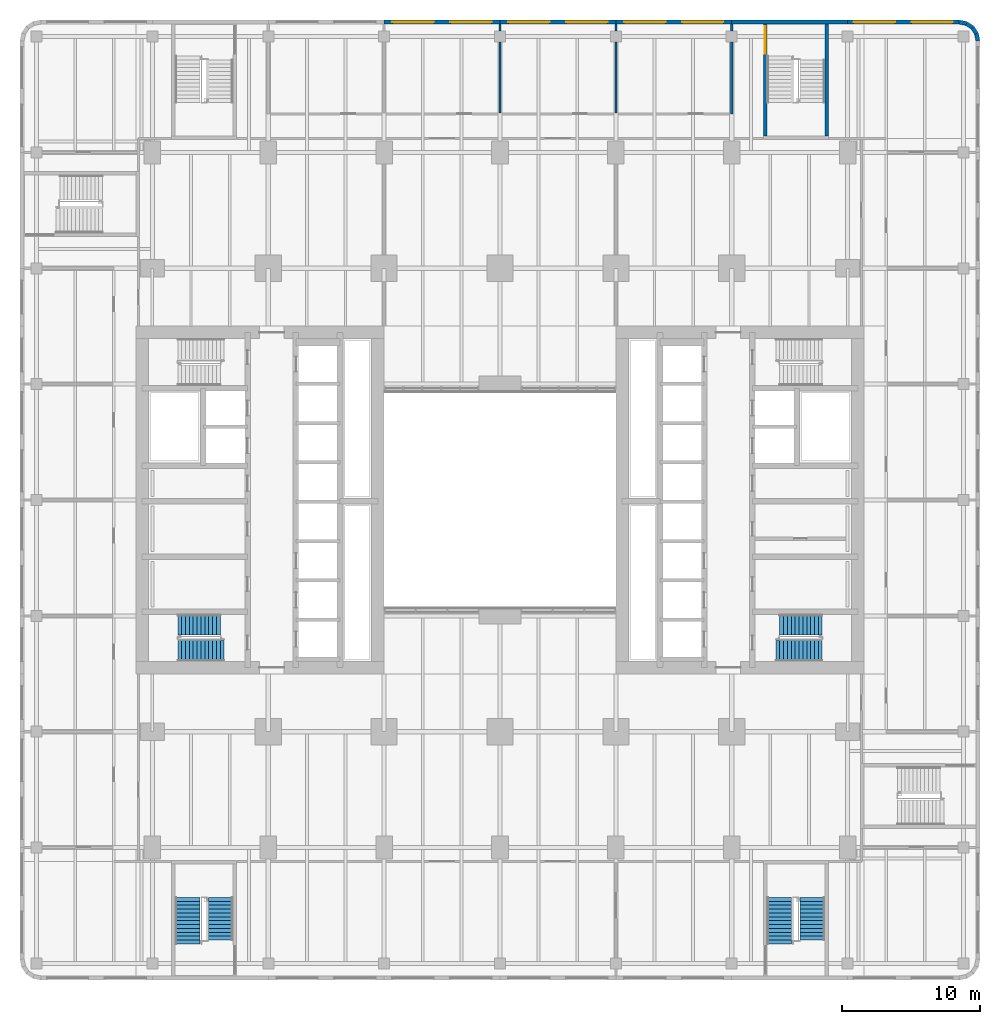
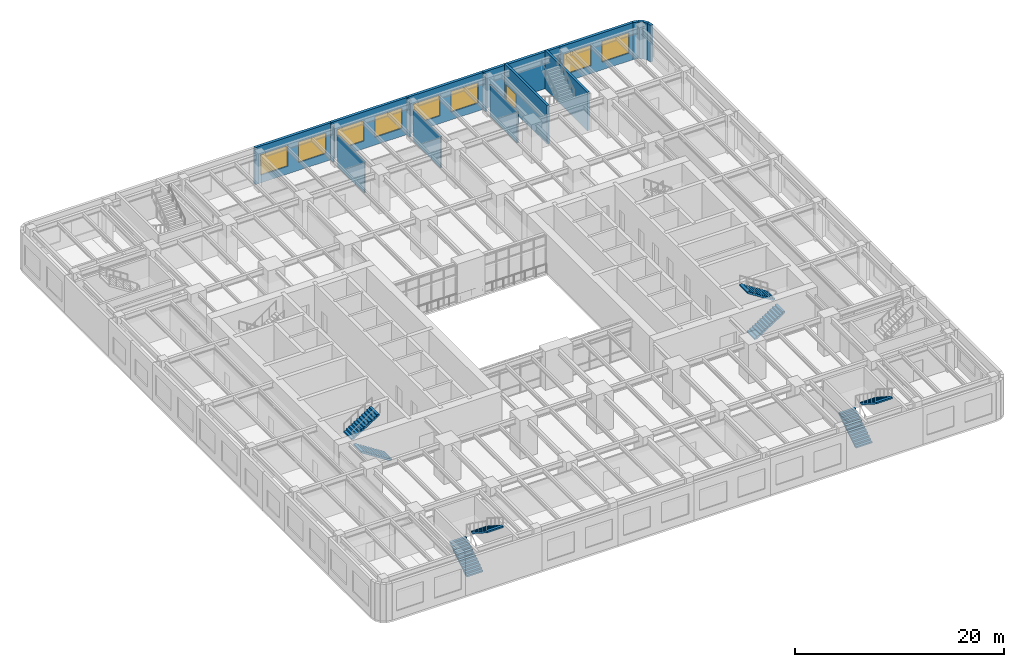
# One storey, part 15 of 26: 17 walls, 8 stair flights, 8 windows, 1 door, 9 openings, 4 elements without a shape of their own.
"""IFC4 building model written with IfcOpenShell, lengths in metres."""

from ifc_helpers import new_model, si_unit, direction, frame, frame_2d, origin, place, context, subcontext, project, spatial, polyline, rectangle, outline, extrude, material, layer, layer_set, type_object, element, fill, aggregate, save


model = new_model("IFC4")

# Units and contexts
model_context = context("Model", 3, precision=1e-05, world=origin(), true_north=direction((0.0, 1.0)))
body_context = subcontext(model_context, "Body", "Model", "MODEL_VIEW")
ifc_project = project(units=[si_unit("LENGTHUNIT", "METRE"), si_unit("AREAUNIT", "SQUARE_METRE"), si_unit("VOLUMEUNIT", "CUBIC_METRE"), si_unit("PLANEANGLEUNIT", "RADIAN"), si_unit("MASSUNIT", "GRAM", prefix="KILO")], contexts=[model_context])

# Site, building, storey
site_placement = place(None, origin())
site = spatial("IfcSite", under=ifc_project, at=site_placement, CompositionType="ELEMENT")
building_placement = place(site_placement, origin())
building = spatial("IfcBuilding", under=site, at=building_placement, Name="Claustro Exchange Tower", CompositionType="ELEMENT")
storey_placement = place(building_placement, frame((0.0, 0.0, 9.89990234375)))
storey = spatial("IfcBuildingStorey", under=building, at=storey_placement, Name="L02", CompositionType="ELEMENT", Elevation=9.89990234375)

# Walls
ifc_material_1 = material(Name="Gypsum board on steel studs", Category="steel")
ifc_layer_1 = layer(ifc_material_1, 0.14990234375)
ifc_layer_set_1 = layer_set([ifc_layer_1], Name="Gypsum board on steel studs")
wall_type_1 = type_object("IfcWallType", Name="P1 150 plasterboard partition", PredefinedType="PARTITIONING", material=ifc_layer_set_1)
wall_1_placement = place(storey_placement, frame((25.199951171875, 53.27392578125, 0.0), z_axis=(0.0, 0.0, 1.0), x_axis=(0.0, 1.0, 0.0)))
element("IfcWall", 1, at=wall_1_placement, inside=storey, type_object=wall_type_1, Name="Partition P1 L02", PredefinedType="PARTITIONING", context=body_context, shape_type="SweptSolid", body=[
    extrude(rectangle(XDim=5.126953125, YDim=0.14990234375, at=frame_2d((2.5634765625, 0.0))), origin(), (0.0, 0.0, 1.0), 3.650146484375),
])
wall_2_placement = place(storey_placement, frame((25.199951171875, 59.198974609375, 0.0), z_axis=(0.0, 0.0, 1.0), x_axis=(0.0, 1.0, 0.0)))
element("IfcWall", 2, at=wall_2_placement, inside=storey, type_object=wall_type_1, Name="Partition P1 L02", PredefinedType="PARTITIONING", context=body_context, shape_type="SweptSolid", body=[
    extrude(rectangle(XDim=0.5029296875, YDim=0.14990234375, at=frame_2d((0.25146484375, 0.0))), origin(), (0.0, 0.0, 1.0), 4.300048828125),
])
wall_3_placement = place(storey_placement, frame((33.60009765625, 53.27392578125, 0.0), z_axis=(0.0, 0.0, 1.0), x_axis=(0.0, 1.0, 0.0)))
element("IfcWall", 3, at=wall_3_placement, inside=storey, type_object=wall_type_1, Name="Partition P1 L02", PredefinedType="PARTITIONING", context=body_context, shape_type="SweptSolid", body=[
    extrude(rectangle(XDim=5.126953125, YDim=0.14990234375, at=frame_2d((2.5634765625, 0.0))), origin(), (0.0, 0.0, 1.0), 3.650146484375),
])
wall_4_placement = place(storey_placement, frame((33.60009765625, 59.198974609375, 0.0), z_axis=(0.0, 0.0, 1.0), x_axis=(0.0, 1.0, 0.0)))
element("IfcWall", 4, at=wall_4_placement, inside=storey, type_object=wall_type_1, Name="Partition P1 L02", PredefinedType="PARTITIONING", context=body_context, shape_type="SweptSolid", body=[
    extrude(rectangle(XDim=0.5029296875, YDim=0.14990234375, at=frame_2d((0.25146484375, 0.0))), origin(), (0.0, 0.0, 1.0), 4.300048828125),
])
wall_5_placement = place(storey_placement, frame((42.0, 53.199951171875, 0.0), z_axis=(0.0, 0.0, 1.0), x_axis=(0.0, 1.0, 0.0)))
element("IfcWall", 5, at=wall_5_placement, inside=storey, type_object=wall_type_1, Name="Partition P1 L02", PredefinedType="PARTITIONING", context=body_context, shape_type="SweptSolid", body=[
    extrude(rectangle(XDim=5.200927734375, YDim=0.14990234375, at=frame_2d((2.6005859375, 0.0))), origin(), (0.0, 0.0, 1.0), 3.650146484375),
])
wall_6_placement = place(storey_placement, frame((42.0, 59.198974609375, 0.0), z_axis=(0.0, 0.0, 1.0), x_axis=(0.0, 1.0, 0.0)))
element("IfcWall", 6, at=wall_6_placement, inside=storey, type_object=wall_type_1, Name="Partition P1 L02", PredefinedType="PARTITIONING", context=body_context, shape_type="SweptSolid", body=[
    extrude(rectangle(XDim=0.5029296875, YDim=0.14990234375, at=frame_2d((0.25146484375, 0.0))), origin(), (0.0, 0.0, 1.0), 4.300048828125),
])

# Wall, openings, windows
ifc_material_2 = material(Name="Concrete HA-40 (C40/50), precast, white cement, acid-etched", Category="concrete")
ifc_layer_2 = layer(ifc_material_2, 0.300048828125)
ifc_layer_set_2 = layer_set([ifc_layer_2], Name="Concrete HA-40 (C40/50), precast, white cement, acid-etched")
wall_type_2 = type_object("IfcWallType", Name="PC1 300 precast concrete pier panel", PredefinedType="SOLIDWALL", material=ifc_layer_set_2)
wall_7_placement = place(storey_placement, frame((16.800048828125, 59.85009765625, 0.0), z_axis=(0.0, 0.0, 1.0), x_axis=(1.0, 0.0, 0.0)))
wall_7 = element("IfcWall", 7, at=wall_7_placement, inside=storey, type_object=wall_type_2, Name="Precast pier panel PC1 L02", PredefinedType="SOLIDWALL", context=body_context, shape_type="SweptSolid", body=[
    extrude(rectangle(XDim=8.39990234375, YDim=0.300048828125, at=frame_2d((4.199951171875, 0.0))), origin(), (0.0, 0.0, 1.0), 4.300048828125),
])
opening_1_placement = place(wall_7_placement, frame((0.60009765625, 0.0, 0.89990234375)))
opening_1 = element("IfcOpeningElement", 8, at=opening_1_placement, cuts=wall_7, Name="Opening W3", PredefinedType="OPENING", context=body_context, shape_type="SweptSolid", body=[
    extrude(rectangle(XDim=3.0, YDim=2.39990234375, at=frame_2d((1.5, 1.199951171875))), frame((0.0, 0.159912109375, 0.0), z_axis=(0.0, -1.0, 0.0), x_axis=(1.0, 0.0, 0.0)), (0.0, 0.0, 1.0), 0.320068359375),
])
opening_2_placement = place(wall_7_placement, frame((4.800048828125, 0.0, 0.89990234375)))
opening_2 = element("IfcOpeningElement", 9, at=opening_2_placement, cuts=wall_7, Name="Opening W3", PredefinedType="OPENING", context=body_context, shape_type="SweptSolid", body=[
    extrude(rectangle(XDim=3.0, YDim=2.39990234375, at=frame_2d((1.5, 1.199951171875))), frame((0.0, 0.159912109375, 0.0), z_axis=(0.0, -1.0, 0.0), x_axis=(1.0, 0.0, 0.0)), (0.0, 0.0, 1.0), 0.320068359375),
])
ifc_material_3 = material(Name="Aluminium frame, clear double glazing", Category="aluminium")
window_type = type_object("IfcWindowType", Name="W3 3000 x 2400 window", PartitioningType="SINGLE_PANEL", PredefinedType="WINDOW", material=ifc_material_3)
window_1_placement = place(opening_1_placement, origin())
window_1 = element("IfcWindow", 10, at=window_1_placement, inside=storey, type_object=window_type, Name="Window W3 L02", OverallHeight=2.39990234375, OverallWidth=3.0, PartitioningType="SINGLE_PANEL", PredefinedType="WINDOW", context=body_context, shape_type="SweptSolid", body=[
    extrude(rectangle(XDim=3.0, YDim=2.39990234375, at=frame_2d((1.5, 1.199951171875))), frame((0.0, 0.030029296875, 0.0), z_axis=(0.0, -1.0, 0.0), x_axis=(1.0, 0.0, 0.0)), (0.0, 0.0, 1.0), 0.06005859375),
])
fill(opening_1, window_1)
window_2_placement = place(opening_2_placement, origin())
window_2 = element("IfcWindow", 11, at=window_2_placement, inside=storey, type_object=window_type, Name="Window W3 L02", OverallHeight=2.39990234375, OverallWidth=3.0, PartitioningType="SINGLE_PANEL", PredefinedType="WINDOW", context=body_context, shape_type="SweptSolid", body=[
    extrude(rectangle(XDim=3.0, YDim=2.39990234375, at=frame_2d((1.5, 1.199951171875))), frame((0.0, 0.030029296875, 0.0), z_axis=(0.0, -1.0, 0.0), x_axis=(1.0, 0.0, 0.0)), (0.0, 0.0, 1.0), 0.06005859375),
])
fill(opening_2, window_2)

wall_8_placement = place(storey_placement, frame((25.199951171875, 59.85009765625, 0.0), z_axis=(0.0, 0.0, 1.0), x_axis=(1.0, 0.0, 0.0)))
wall_8 = element("IfcWall", 12, at=wall_8_placement, inside=storey, type_object=wall_type_2, Name="Precast pier panel PC1 L02", PredefinedType="SOLIDWALL", context=body_context, shape_type="SweptSolid", body=[
    extrude(rectangle(XDim=8.400146484375, YDim=0.300048828125, at=frame_2d((4.2001953125, 0.0))), origin(), (0.0, 0.0, 1.0), 4.300048828125),
])
opening_3_placement = place(wall_8_placement, frame((0.60009765625, 0.0, 0.89990234375)))
opening_3 = element("IfcOpeningElement", 13, at=opening_3_placement, cuts=wall_8, Name="Opening W3", PredefinedType="OPENING", context=body_context, shape_type="SweptSolid", body=[
    extrude(rectangle(XDim=3.0, YDim=2.39990234375, at=frame_2d((1.5, 1.199951171875))), frame((0.0, 0.159912109375, 0.0), z_axis=(0.0, -1.0, 0.0), x_axis=(1.0, 0.0, 0.0)), (0.0, 0.0, 1.0), 0.320068359375),
])
opening_4_placement = place(wall_8_placement, frame((4.800048828125, 0.0, 0.89990234375)))
opening_4 = element("IfcOpeningElement", 14, at=opening_4_placement, cuts=wall_8, Name="Opening W3", PredefinedType="OPENING", context=body_context, shape_type="SweptSolid", body=[
    extrude(rectangle(XDim=3.0, YDim=2.39990234375, at=frame_2d((1.5, 1.199951171875))), frame((0.0, 0.159912109375, 0.0), z_axis=(0.0, -1.0, 0.0), x_axis=(1.0, 0.0, 0.0)), (0.0, 0.0, 1.0), 0.320068359375),
])
window_3_placement = place(opening_3_placement, origin())
window_3 = element("IfcWindow", 15, at=window_3_placement, inside=storey, type_object=window_type, Name="Window W3 L02", OverallHeight=2.39990234375, OverallWidth=3.0, PartitioningType="SINGLE_PANEL", PredefinedType="WINDOW", context=body_context, shape_type="SweptSolid", body=[
    extrude(rectangle(XDim=3.0, YDim=2.39990234375, at=frame_2d((1.5, 1.199951171875))), frame((0.0, 0.030029296875, 0.0), z_axis=(0.0, -1.0, 0.0), x_axis=(1.0, 0.0, 0.0)), (0.0, 0.0, 1.0), 0.06005859375),
])
fill(opening_3, window_3)
window_4_placement = place(opening_4_placement, origin())
window_4 = element("IfcWindow", 16, at=window_4_placement, inside=storey, type_object=window_type, Name="Window W3 L02", OverallHeight=2.39990234375, OverallWidth=3.0, PartitioningType="SINGLE_PANEL", PredefinedType="WINDOW", context=body_context, shape_type="SweptSolid", body=[
    extrude(rectangle(XDim=3.0, YDim=2.39990234375, at=frame_2d((1.5, 1.199951171875))), frame((0.0, 0.030029296875, 0.0), z_axis=(0.0, -1.0, 0.0), x_axis=(1.0, 0.0, 0.0)), (0.0, 0.0, 1.0), 0.06005859375),
])
fill(opening_4, window_4)

wall_9_placement = place(storey_placement, frame((33.60009765625, 59.85009765625, 0.0), z_axis=(0.0, 0.0, 1.0), x_axis=(1.0, 0.0, 0.0)))
wall_9 = element("IfcWall", 17, at=wall_9_placement, inside=storey, type_object=wall_type_2, Name="Precast pier panel PC1 L02", PredefinedType="SOLIDWALL", context=body_context, shape_type="SweptSolid", body=[
    extrude(rectangle(XDim=8.39990234375, YDim=0.300048828125, at=frame_2d((4.199951171875, 0.0))), origin(), (0.0, 0.0, 1.0), 4.300048828125),
])
opening_5_placement = place(wall_9_placement, frame((0.60009765625, 0.0, 0.89990234375)))
opening_5 = element("IfcOpeningElement", 18, at=opening_5_placement, cuts=wall_9, Name="Opening W3", PredefinedType="OPENING", context=body_context, shape_type="SweptSolid", body=[
    extrude(rectangle(XDim=3.0, YDim=2.39990234375, at=frame_2d((1.5, 1.199951171875))), frame((0.0, 0.159912109375, 0.0), z_axis=(0.0, -1.0, 0.0), x_axis=(1.0, 0.0, 0.0)), (0.0, 0.0, 1.0), 0.320068359375),
])
opening_6_placement = place(wall_9_placement, frame((4.800048828125, 0.0, 0.89990234375)))
opening_6 = element("IfcOpeningElement", 19, at=opening_6_placement, cuts=wall_9, Name="Opening W3", PredefinedType="OPENING", context=body_context, shape_type="SweptSolid", body=[
    extrude(rectangle(XDim=3.0, YDim=2.39990234375, at=frame_2d((1.5, 1.199951171875))), frame((0.0, 0.159912109375, 0.0), z_axis=(0.0, -1.0, 0.0), x_axis=(1.0, 0.0, 0.0)), (0.0, 0.0, 1.0), 0.320068359375),
])
window_5_placement = place(opening_5_placement, origin())
window_5 = element("IfcWindow", 20, at=window_5_placement, inside=storey, type_object=window_type, Name="Window W3 L02", OverallHeight=2.39990234375, OverallWidth=3.0, PartitioningType="SINGLE_PANEL", PredefinedType="WINDOW", context=body_context, shape_type="SweptSolid", body=[
    extrude(rectangle(XDim=3.0, YDim=2.39990234375, at=frame_2d((1.5, 1.199951171875))), frame((0.0, 0.030029296875, 0.0), z_axis=(0.0, -1.0, 0.0), x_axis=(1.0, 0.0, 0.0)), (0.0, 0.0, 1.0), 0.06005859375),
])
fill(opening_5, window_5)
window_6_placement = place(opening_6_placement, origin())
window_6 = element("IfcWindow", 21, at=window_6_placement, inside=storey, type_object=window_type, Name="Window W3 L02", OverallHeight=2.39990234375, OverallWidth=3.0, PartitioningType="SINGLE_PANEL", PredefinedType="WINDOW", context=body_context, shape_type="SweptSolid", body=[
    extrude(rectangle(XDim=3.0, YDim=2.39990234375, at=frame_2d((1.5, 1.199951171875))), frame((0.0, 0.030029296875, 0.0), z_axis=(0.0, -1.0, 0.0), x_axis=(1.0, 0.0, 0.0)), (0.0, 0.0, 1.0), 0.06005859375),
])
fill(opening_6, window_6)

# Wall
wall_10_placement = place(storey_placement, frame((42.0, 59.85009765625, 0.0), z_axis=(0.0, 0.0, 1.0), x_axis=(1.0, 0.0, 0.0)))
element("IfcWall", 22, at=wall_10_placement, inside=storey, type_object=wall_type_2, Name="Precast pier panel PC1 L02", PredefinedType="SOLIDWALL", context=body_context, shape_type="SweptSolid", body=[
    extrude(rectangle(XDim=8.39990234375, YDim=0.300048828125, at=frame_2d((4.199951171875, 0.0))), origin(), (0.0, 0.0, 1.0), 4.300048828125),
])

# Wall, openings, windows
wall_11_placement = place(storey_placement, frame((50.39990234375, 59.85009765625, 0.0), z_axis=(0.0, 0.0, 1.0), x_axis=(1.0, 0.0, 0.0)))
wall_11 = element("IfcWall", 23, at=wall_11_placement, inside=storey, type_object=wall_type_2, Name="Precast pier panel PC1 L02", PredefinedType="SOLIDWALL", context=body_context, shape_type="SweptSolid", body=[
    extrude(rectangle(XDim=8.085205078125, YDim=0.300048828125, at=frame_2d((4.04248046875, 0.0))), origin(), (0.0, 0.0, 1.0), 4.300048828125),
])
opening_7_placement = place(wall_11_placement, frame((0.442626953125, 0.0, 0.89990234375)))
opening_7 = element("IfcOpeningElement", 24, at=opening_7_placement, cuts=wall_11, Name="Opening W3", PredefinedType="OPENING", context=body_context, shape_type="SweptSolid", body=[
    extrude(rectangle(XDim=3.0, YDim=2.39990234375, at=frame_2d((1.5, 1.199951171875))), frame((0.0, 0.159912109375, 0.0), z_axis=(0.0, -1.0, 0.0), x_axis=(1.0, 0.0, 0.0)), (0.0, 0.0, 1.0), 0.320068359375),
])
opening_8_placement = place(wall_11_placement, frame((4.642578125, 0.0, 0.89990234375)))
opening_8 = element("IfcOpeningElement", 25, at=opening_8_placement, cuts=wall_11, Name="Opening W3", PredefinedType="OPENING", context=body_context, shape_type="SweptSolid", body=[
    extrude(rectangle(XDim=3.0, YDim=2.39990234375, at=frame_2d((1.5, 1.199951171875))), frame((0.0, 0.159912109375, 0.0), z_axis=(0.0, -1.0, 0.0), x_axis=(1.0, 0.0, 0.0)), (0.0, 0.0, 1.0), 0.320068359375),
])
window_7_placement = place(opening_7_placement, origin())
window_7 = element("IfcWindow", 26, at=window_7_placement, inside=storey, type_object=window_type, Name="Window W3 L02", OverallHeight=2.39990234375, OverallWidth=3.0, PartitioningType="SINGLE_PANEL", PredefinedType="WINDOW", context=body_context, shape_type="SweptSolid", body=[
    extrude(rectangle(XDim=3.0, YDim=2.39990234375, at=frame_2d((1.5, 1.199951171875))), frame((0.0, 0.030029296875, 0.0), z_axis=(0.0, -1.0, 0.0), x_axis=(1.0, 0.0, 0.0)), (0.0, 0.0, 1.0), 0.06005859375),
])
fill(opening_7, window_7)
window_8_placement = place(opening_8_placement, origin())
window_8 = element("IfcWindow", 27, at=window_8_placement, inside=storey, type_object=window_type, Name="Window W3 L02", OverallHeight=2.39990234375, OverallWidth=3.0, PartitioningType="SINGLE_PANEL", PredefinedType="WINDOW", context=body_context, shape_type="SweptSolid", body=[
    extrude(rectangle(XDim=3.0, YDim=2.39990234375, at=frame_2d((1.5, 1.199951171875))), frame((0.0, 0.030029296875, 0.0), z_axis=(0.0, -1.0, 0.0), x_axis=(1.0, 0.0, 0.0)), (0.0, 0.0, 1.0), 0.06005859375),
])
fill(opening_8, window_8)

# Walls
wall_12_placement = place(storey_placement, frame((58.485107421875, 59.85009765625, 0.0), z_axis=(0.0, 0.0, 1.0), x_axis=(0.980702050465, -0.1955082817, 0.0)))
element("IfcWall", 28, at=wall_12_placement, inside=storey, type_object=wall_type_2, Name="Precast pier panel PC1 L02", PredefinedType="SOLIDWALL", context=body_context, shape_type="SweptSolid", body=[
    extrude(rectangle(XDim=0.540771484375, YDim=0.300048828125, at=frame_2d((0.2705078125, 0.0))), origin(), (0.0, 0.0, 1.0), 4.300048828125),
])
for number, where, z_axis, x_axis, name in (
    (29, (59.015380859375, 59.744384765625, 0.0), (0.0, 0.0, 1.0), (0.831835869144, -0.555021699401, 0.0), "Precast pier panel PC1 L02"),
    (30, (59.45263671875, 59.45263671875, 0.0), (0.0, 0.0, 1.0), (0.555021699401, -0.831835869144, 0.0), "Precast pier panel PC1 L02"),
):
    element("IfcWall", number, at=place(storey_placement, frame(where, z_axis=z_axis, x_axis=x_axis)), inside=storey, type_object=wall_type_2, Name=name, PredefinedType="SOLIDWALL", context=body_context, shape_type="SweptSolid", body=[
        extrude(rectangle(XDim=0.525634765625, YDim=0.300048828125, at=frame_2d((0.2626953125, 0.0))), origin(), (0.0, 0.0, 1.0), 4.300048828125),
    ])
wall_13_placement = place(storey_placement, frame((59.744384765625, 59.015380859375, 0.0), z_axis=(0.0, 0.0, 1.0), x_axis=(0.1955082817, -0.980702050465, 0.0)))
element("IfcWall", 31, at=wall_13_placement, inside=storey, type_object=wall_type_2, Name="Precast pier panel PC1 L02", PredefinedType="SOLIDWALL", context=body_context, shape_type="SweptSolid", body=[
    extrude(rectangle(XDim=0.540771484375, YDim=0.300048828125, at=frame_2d((0.2705078125, 0.0))), origin(), (0.0, 0.0, 1.0), 4.300048828125),
])

# Wall, opening, door
ifc_material_4 = material(Name="Concrete HA-40 (C40/50)", Category="concrete")
ifc_layer_3 = layer(ifc_material_4, 0.25)
ifc_layer_set_3 = layer_set([ifc_layer_3], Name="Concrete HA-40 (C40/50)")
wall_type_3 = type_object("IfcWallType", Name="SW7 250 reinforced concrete stair wall", PredefinedType="SOLIDWALL", material=ifc_layer_set_3)
wall_14_placement = place(storey_placement, frame((44.425048828125, 59.701904296875, 0.0), z_axis=(0.0, 0.0, 1.0), x_axis=(0.0, -1.0, 0.0)))
wall_14 = element("IfcWall", 32, at=wall_14_placement, inside=storey, type_object=wall_type_3, Name="Stair enclosure wall STP4 SW7 L02", PredefinedType="SOLIDWALL", context=body_context, shape_type="SweptSolid", body=[
    extrude(rectangle(XDim=8.101806640625, YDim=0.25, at=frame_2d((4.05078125, 0.0))), origin(), (0.0, 0.0, 1.0), 4.5),
])
opening_9_placement = place(wall_14_placement, frame((0.14990234375, 0.0, 0.0)))
opening_9 = element("IfcOpeningElement", 33, at=opening_9_placement, cuts=wall_14, Name="Opening D11", PredefinedType="OPENING", context=body_context, shape_type="SweptSolid", body=[
    extrude(rectangle(XDim=2.0, YDim=2.199951171875, at=frame_2d((1.0, 1.10009765625))), frame((0.0, 0.135009765625, 0.0), z_axis=(0.0, -1.0, 0.0), x_axis=(1.0, 0.0, 0.0)), (0.0, 0.0, 1.0), 0.27001953125),
])
ifc_material_5 = material(Name="Steel fire door, painted", Category="steel")
door_type = type_object("IfcDoorType", Name="D11 2000 x 2200 fire-rated stair double door", OperationType="DOUBLE_DOOR_SINGLE_SWING", PredefinedType="DOOR", material=ifc_material_5)
door_placement = place(opening_9_placement, origin())
door = element("IfcDoor", 34, at=door_placement, inside=storey, type_object=door_type, Name="Stair door STP4 D11 L02", OperationType="DOUBLE_DOOR_SINGLE_SWING", OverallHeight=2.199951171875, OverallWidth=2.0, PredefinedType="DOOR", context=body_context, shape_type="SweptSolid", body=[
    extrude(rectangle(XDim=2.0, YDim=2.199951171875, at=frame_2d((1.0, 1.10009765625))), frame((0.0, 0.02490234375, 0.0), z_axis=(0.0, -1.0, 0.0), x_axis=(1.0, 0.0, 0.0)), (0.0, 0.0, 1.0), 0.050048828125),
])
fill(opening_9, door)

# Wall
wall_15_placement = place(storey_placement, frame((48.875, 59.701904296875, 0.0), z_axis=(0.0, 0.0, 1.0), x_axis=(0.0, -1.0, 0.0)))
element("IfcWall", 35, at=wall_15_placement, inside=storey, type_object=wall_type_3, Name="Stair enclosure wall STP4 SW7 L02", PredefinedType="SOLIDWALL", context=body_context, shape_type="SweptSolid", body=[
    extrude(rectangle(XDim=8.101806640625, YDim=0.25, at=frame_2d((4.05078125, 0.0))), origin(), (0.0, 0.0, 1.0), 4.5),
])

# Stair, stair flight
ifc_material_6 = material(Name="Concrete HA-30 (C30/37), precast", Category="concrete")
stair_type_1 = type_object("IfcStairType", Name="ST2 half-turn stair, 25 risers of 180", PredefinedType="HALF_TURN_STAIR", material=ifc_material_6)
stair_1_placement = place(storey_placement, origin())
stair_1 = element("IfcStair", 36, at=stair_1_placement, inside=storey, type_object=stair_type_1, Name="Stair STWA L02", PredefinedType="HALF_TURN_STAIR")
ifc_material_7 = material(Name="Concrete HA-30 (C30/37), precast", Category="concrete")
stair_flight_type_1 = type_object("IfcStairFlightType", Name="SF12B straight flight, 12 risers of 180, 1500 wide", PredefinedType="STRAIGHT", material=ifc_material_7)
stair_flight_1_placement = place(storey_placement, frame((1.840087890625, 16.14990234375, 2.340087890625), z_axis=(0.0, 0.0, 1.0), x_axis=(1.0, 0.0, 0.0)))
stair_flight_1 = element("IfcStairFlight", 37, at=stair_flight_1_placement, type_object=stair_flight_type_1, Name="STWA flight 2", NumberOfRisers=12, NumberOfTreads=11, PredefinedType="STRAIGHT", RiserHeight=0.18, TreadLength=0.28, context=body_context, shape_type="SweptSolid", body=[
    extrude(outline(polyline([(0.0, 0.0), (0.0, 0.179931640625), (0.280029296875, 0.179931640625), (0.280029296875, 0.360107421875), (0.56005859375, 0.360107421875), (0.56005859375, 0.5400390625), (0.840087890625, 0.5400390625), (0.840087890625, 0.719970703125), (1.1201171875, 0.719970703125), (1.1201171875, 0.89990234375), (1.39990234375, 0.89990234375), (1.39990234375, 1.080078125), (1.679931640625, 1.080078125), (1.679931640625, 1.260009765625), (1.9599609375, 1.260009765625), (1.9599609375, 1.43994140625), (2.239990234375, 1.43994140625), (2.239990234375, 1.6201171875), (2.52001953125, 1.6201171875), (2.52001953125, 1.800048828125), (2.800048828125, 1.800048828125), (2.800048828125, 1.97998046875), (3.080078125, 1.97998046875), (3.080078125, 2.159912109375), (3.080078125, 1.8017578125), (0.277099609375, 0.0), (0.0, 0.0)])), frame((0.0, 0.75, 0.0), z_axis=(0.0, -1.0, 0.0), x_axis=(1.0, 0.0, 0.0)), (0.0, 0.0, 1.0), 1.5),
])

stair_2_placement = place(storey_placement, origin())
stair_2 = element("IfcStair", 38, at=stair_2_placement, inside=storey, type_object=stair_type_1, Name="Stair STEA L02", PredefinedType="HALF_TURN_STAIR")
stair_flight_2_placement = place(storey_placement, frame((48.56005859375, 16.14990234375, 2.340087890625), z_axis=(0.0, 0.0, 1.0), x_axis=(-1.0, 0.0, 0.0)))
stair_flight_2 = element("IfcStairFlight", 39, at=stair_flight_2_placement, type_object=stair_flight_type_1, Name="STEA flight 2", NumberOfRisers=12, NumberOfTreads=11, PredefinedType="STRAIGHT", RiserHeight=0.18, TreadLength=0.28, context=body_context, shape_type="SweptSolid", body=[
    extrude(outline(polyline([(0.0, 0.0), (0.0, 0.179931640625), (0.280029296875, 0.179931640625), (0.280029296875, 0.360107421875), (0.56005859375, 0.360107421875), (0.56005859375, 0.5400390625), (0.840087890625, 0.5400390625), (0.840087890625, 0.719970703125), (1.1201171875, 0.719970703125), (1.1201171875, 0.89990234375), (1.39990234375, 0.89990234375), (1.39990234375, 1.080078125), (1.679931640625, 1.080078125), (1.679931640625, 1.260009765625), (1.9599609375, 1.260009765625), (1.9599609375, 1.43994140625), (2.239990234375, 1.43994140625), (2.239990234375, 1.6201171875), (2.52001953125, 1.6201171875), (2.52001953125, 1.800048828125), (2.800048828125, 1.800048828125), (2.800048828125, 1.97998046875), (3.080078125, 1.97998046875), (3.080078125, 2.159912109375), (3.080078125, 1.8017578125), (0.277099609375, 0.0), (0.0, 0.0)])), frame((0.0, 0.75, 0.0), z_axis=(0.0, -1.0, 0.0), x_axis=(1.0, 0.0, 0.0)), (0.0, 0.0, 1.0), 1.5),
])

# Stair flight
ifc_material_8 = material(Name="Concrete HA-30 (C30/37), precast", Category="concrete")
stair_flight_type_2 = type_object("IfcStairFlightType", Name="SF13 straight flight, 13 risers of 180, 1500 wide", PredefinedType="STRAIGHT", material=ifc_material_8)
stair_flight_3_placement = place(storey_placement, frame((5.199951171875, 14.25, 0.0), z_axis=(0.0, 0.0, 1.0), x_axis=(-1.0, 0.0, 0.0)))
stair_flight_3 = element("IfcStairFlight", 40, at=stair_flight_3_placement, type_object=stair_flight_type_2, Name="STWA flight 1", NumberOfRisers=13, NumberOfTreads=12, PredefinedType="STRAIGHT", RiserHeight=0.18, TreadLength=0.28, context=body_context, shape_type="SweptSolid", body=[
    extrude(outline(polyline([(0.0, 0.0), (0.0, 0.179931640625), (0.280029296875, 0.179931640625), (0.280029296875, 0.360107421875), (0.56005859375, 0.360107421875), (0.56005859375, 0.5400390625), (0.840087890625, 0.5400390625), (0.840087890625, 0.719970703125), (1.1201171875, 0.719970703125), (1.1201171875, 0.89990234375), (1.39990234375, 0.89990234375), (1.39990234375, 1.080078125), (1.679931640625, 1.080078125), (1.679931640625, 1.260009765625), (1.9599609375, 1.260009765625), (1.9599609375, 1.43994140625), (2.239990234375, 1.43994140625), (2.239990234375, 1.6201171875), (2.52001953125, 1.6201171875), (2.52001953125, 1.800048828125), (2.800048828125, 1.800048828125), (2.800048828125, 1.97998046875), (3.080078125, 1.97998046875), (3.080078125, 2.159912109375), (3.360107421875, 2.159912109375), (3.360107421875, 2.340087890625), (3.360107421875, 1.981689453125), (0.277099609375, 0.0), (0.0, 0.0)])), frame((0.0, 0.75, 0.0), z_axis=(0.0, -1.0, 0.0), x_axis=(1.0, 0.0, 0.0)), (0.0, 0.0, 1.0), 1.5),
])

aggregate(stair_1, [stair_flight_3, stair_flight_1])

stair_flight_4_placement = place(storey_placement, frame((45.199951171875, 14.25, 0.0), z_axis=(0.0, 0.0, 1.0), x_axis=(1.0, 0.0, 0.0)))
stair_flight_4 = element("IfcStairFlight", 41, at=stair_flight_4_placement, type_object=stair_flight_type_2, Name="STEA flight 1", NumberOfRisers=13, NumberOfTreads=12, PredefinedType="STRAIGHT", RiserHeight=0.18, TreadLength=0.28, context=body_context, shape_type="SweptSolid", body=[
    extrude(outline(polyline([(0.0, 0.0), (0.0, 0.179931640625), (0.280029296875, 0.179931640625), (0.280029296875, 0.360107421875), (0.56005859375, 0.360107421875), (0.56005859375, 0.5400390625), (0.840087890625, 0.5400390625), (0.840087890625, 0.719970703125), (1.1201171875, 0.719970703125), (1.1201171875, 0.89990234375), (1.39990234375, 0.89990234375), (1.39990234375, 1.080078125), (1.679931640625, 1.080078125), (1.679931640625, 1.260009765625), (1.9599609375, 1.260009765625), (1.9599609375, 1.43994140625), (2.239990234375, 1.43994140625), (2.239990234375, 1.6201171875), (2.52001953125, 1.6201171875), (2.52001953125, 1.800048828125), (2.800048828125, 1.800048828125), (2.800048828125, 1.97998046875), (3.080078125, 1.97998046875), (3.080078125, 2.159912109375), (3.360107421875, 2.159912109375), (3.360107421875, 2.340087890625), (3.360107421875, 1.981689453125), (0.277099609375, 0.0), (0.0, 0.0)])), frame((0.0, 0.75, 0.0), z_axis=(0.0, -1.0, 0.0), x_axis=(1.0, 0.0, 0.0)), (0.0, 0.0, 1.0), 1.5),
])

aggregate(stair_2, [stair_flight_4, stair_flight_2])

# Stair, stair flight
ifc_material_9 = material(Name="Concrete HA-30 (C30/37), precast", Category="concrete")
stair_type_2 = type_object("IfcStairType", Name="ST5 half-turn podium escape stair, 25 risers of 180, 1800 flights", PredefinedType="HALF_TURN_STAIR", material=ifc_material_9)
stair_3_placement = place(storey_placement, origin())
stair_3 = element("IfcStair", 42, at=stair_3_placement, inside=storey, type_object=stair_type_2, Name="Stair STP1 L02", PredefinedType="HALF_TURN_STAIR")
ifc_material_10 = material(Name="Concrete HA-30 (C30/37), precast", Category="concrete")
stair_flight_type_3 = type_object("IfcStairFlightType", Name="SFP12 straight flight, 12 risers of 180, 1800 wide", PredefinedType="STRAIGHT", material=ifc_material_10)
stair_flight_5_placement = place(storey_placement, frame((4.949951171875, -3.6201171875, 2.340087890625), z_axis=(0.0, 0.0, 1.0), x_axis=(0.0, -1.0, 0.0)))
stair_flight_5 = element("IfcStairFlight", 43, at=stair_flight_5_placement, type_object=stair_flight_type_3, Name="STP1 flight 2", NumberOfRisers=12, NumberOfTreads=11, PredefinedType="STRAIGHT", RiserHeight=0.18, TreadLength=0.28, context=body_context, shape_type="SweptSolid", body=[
    extrude(outline(polyline([(0.0, 0.0), (0.0, 0.179931640625), (0.280029296875, 0.179931640625), (0.280029296875, 0.360107421875), (0.56005859375, 0.360107421875), (0.56005859375, 0.5400390625), (0.840087890625, 0.5400390625), (0.840087890625, 0.719970703125), (1.1201171875, 0.719970703125), (1.1201171875, 0.89990234375), (1.39990234375, 0.89990234375), (1.39990234375, 1.080078125), (1.679931640625, 1.080078125), (1.679931640625, 1.260009765625), (1.9599609375, 1.260009765625), (1.9599609375, 1.43994140625), (2.239990234375, 1.43994140625), (2.239990234375, 1.6201171875), (2.52001953125, 1.6201171875), (2.52001953125, 1.800048828125), (2.800048828125, 1.800048828125), (2.800048828125, 1.97998046875), (3.080078125, 1.97998046875), (3.080078125, 2.159912109375), (3.080078125, 1.8017578125), (0.277099609375, 0.0), (0.0, 0.0)])), frame((0.0, 0.89990234375, 0.0), z_axis=(0.0, -1.0, 0.0), x_axis=(1.0, 0.0, 0.0)), (0.0, 0.0, 1.0), 1.800048828125),
])

stair_4_placement = place(storey_placement, origin())
stair_4 = element("IfcStair", 44, at=stair_4_placement, inside=storey, type_object=stair_type_2, Name="Stair STP2 L02", PredefinedType="HALF_TURN_STAIR")
stair_flight_6_placement = place(storey_placement, frame((47.85009765625, -3.6201171875, 2.340087890625), z_axis=(0.0, 0.0, 1.0), x_axis=(0.0, -1.0, 0.0)))
stair_flight_6 = element("IfcStairFlight", 45, at=stair_flight_6_placement, type_object=stair_flight_type_3, Name="STP2 flight 2", NumberOfRisers=12, NumberOfTreads=11, PredefinedType="STRAIGHT", RiserHeight=0.18, TreadLength=0.28, context=body_context, shape_type="SweptSolid", body=[
    extrude(outline(polyline([(0.0, 0.0), (0.0, 0.179931640625), (0.280029296875, 0.179931640625), (0.280029296875, 0.360107421875), (0.56005859375, 0.360107421875), (0.56005859375, 0.5400390625), (0.840087890625, 0.5400390625), (0.840087890625, 0.719970703125), (1.1201171875, 0.719970703125), (1.1201171875, 0.89990234375), (1.39990234375, 0.89990234375), (1.39990234375, 1.080078125), (1.679931640625, 1.080078125), (1.679931640625, 1.260009765625), (1.9599609375, 1.260009765625), (1.9599609375, 1.43994140625), (2.239990234375, 1.43994140625), (2.239990234375, 1.6201171875), (2.52001953125, 1.6201171875), (2.52001953125, 1.800048828125), (2.800048828125, 1.800048828125), (2.800048828125, 1.97998046875), (3.080078125, 1.97998046875), (3.080078125, 2.159912109375), (3.080078125, 1.8017578125), (0.277099609375, 0.0), (0.0, 0.0)])), frame((0.0, 0.89990234375, 0.0), z_axis=(0.0, -1.0, 0.0), x_axis=(1.0, 0.0, 0.0)), (0.0, 0.0, 1.0), 1.800048828125),
])

# Stair flight
ifc_material_11 = material(Name="Concrete HA-30 (C30/37), precast", Category="concrete")
stair_flight_type_4 = type_object("IfcStairFlightType", Name="SFP13 straight flight, 13 risers of 180, 1800 wide", PredefinedType="STRAIGHT", material=ifc_material_11)
stair_flight_7_placement = place(storey_placement, frame((2.550048828125, -6.97998046875, 0.0), z_axis=(0.0, 0.0, 1.0), x_axis=(0.0, 1.0, 0.0)))
stair_flight_7 = element("IfcStairFlight", 46, at=stair_flight_7_placement, type_object=stair_flight_type_4, Name="STP1 flight 1", NumberOfRisers=13, NumberOfTreads=12, PredefinedType="STRAIGHT", RiserHeight=0.18, TreadLength=0.28, context=body_context, shape_type="SweptSolid", body=[
    extrude(outline(polyline([(0.0, 0.0), (0.0, 0.179931640625), (0.280029296875, 0.179931640625), (0.280029296875, 0.360107421875), (0.56005859375, 0.360107421875), (0.56005859375, 0.5400390625), (0.840087890625, 0.5400390625), (0.840087890625, 0.719970703125), (1.1201171875, 0.719970703125), (1.1201171875, 0.89990234375), (1.39990234375, 0.89990234375), (1.39990234375, 1.080078125), (1.679931640625, 1.080078125), (1.679931640625, 1.260009765625), (1.9599609375, 1.260009765625), (1.9599609375, 1.43994140625), (2.239990234375, 1.43994140625), (2.239990234375, 1.6201171875), (2.52001953125, 1.6201171875), (2.52001953125, 1.800048828125), (2.800048828125, 1.800048828125), (2.800048828125, 1.97998046875), (3.080078125, 1.97998046875), (3.080078125, 2.159912109375), (3.360107421875, 2.159912109375), (3.360107421875, 2.340087890625), (3.360107421875, 1.981689453125), (0.277099609375, 0.0), (0.0, 0.0)])), frame((0.0, 0.89990234375, 0.0), z_axis=(0.0, -1.0, 0.0), x_axis=(1.0, 0.0, 0.0)), (0.0, 0.0, 1.0), 1.800048828125),
])

aggregate(stair_3, [stair_flight_7, stair_flight_5])

stair_flight_8_placement = place(storey_placement, frame((45.449951171875, -6.97998046875, 0.0), z_axis=(0.0, 0.0, 1.0), x_axis=(0.0, 1.0, 0.0)))
stair_flight_8 = element("IfcStairFlight", 47, at=stair_flight_8_placement, type_object=stair_flight_type_4, Name="STP2 flight 1", NumberOfRisers=13, NumberOfTreads=12, PredefinedType="STRAIGHT", RiserHeight=0.18, TreadLength=0.28, context=body_context, shape_type="SweptSolid", body=[
    extrude(outline(polyline([(0.0, 0.0), (0.0, 0.179931640625), (0.280029296875, 0.179931640625), (0.280029296875, 0.360107421875), (0.56005859375, 0.360107421875), (0.56005859375, 0.5400390625), (0.840087890625, 0.5400390625), (0.840087890625, 0.719970703125), (1.1201171875, 0.719970703125), (1.1201171875, 0.89990234375), (1.39990234375, 0.89990234375), (1.39990234375, 1.080078125), (1.679931640625, 1.080078125), (1.679931640625, 1.260009765625), (1.9599609375, 1.260009765625), (1.9599609375, 1.43994140625), (2.239990234375, 1.43994140625), (2.239990234375, 1.6201171875), (2.52001953125, 1.6201171875), (2.52001953125, 1.800048828125), (2.800048828125, 1.800048828125), (2.800048828125, 1.97998046875), (3.080078125, 1.97998046875), (3.080078125, 2.159912109375), (3.360107421875, 2.159912109375), (3.360107421875, 2.340087890625), (3.360107421875, 1.981689453125), (0.277099609375, 0.0), (0.0, 0.0)])), frame((0.0, 0.89990234375, 0.0), z_axis=(0.0, -1.0, 0.0), x_axis=(1.0, 0.0, 0.0)), (0.0, 0.0, 1.0), 1.800048828125),
])

aggregate(stair_4, [stair_flight_8, stair_flight_6])

save(model, "model.ifc")
